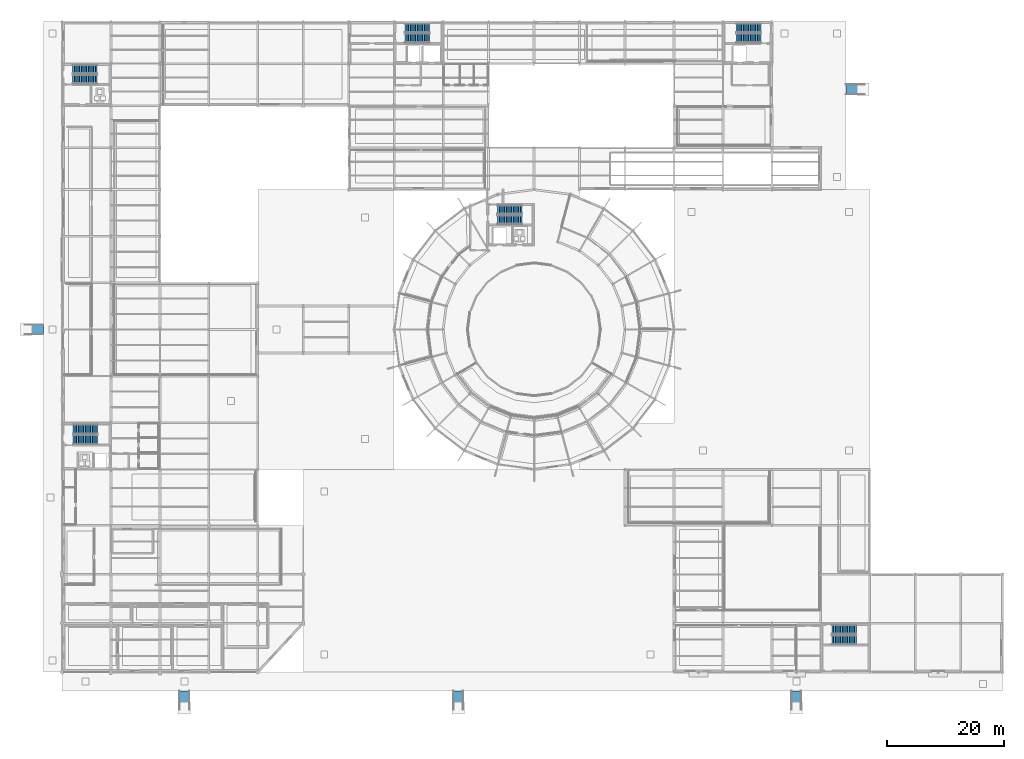
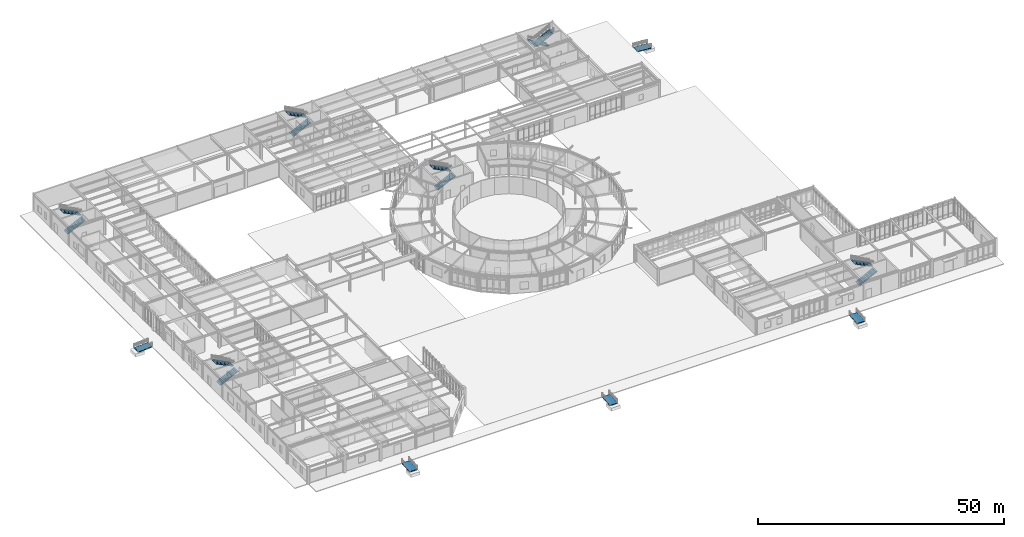
# One storey, part 89 of 101: 12 stair flights, 5 ramp flights, 11 elements without a shape of their own.
"""IFC4 building model written with IfcOpenShell, lengths in metres."""

from ifc_helpers import new_model, si_unit, derived_unit, direction, frame, origin, place, context, subcontext, project, spatial, polyline, outline, extrude, material, layer, layer_set, type_object, element, aggregate, save


model = new_model("IFC4")

# Units and contexts
model_context = context("Model", 3, precision=1e-05, world=origin(), true_north=direction((0.0, 1.0)))
body_context = subcontext(model_context, "Body", "Model", "MODEL_VIEW")
ifc_project = project(units=[si_unit("LENGTHUNIT", "METRE"), si_unit("AREAUNIT", "SQUARE_METRE"), si_unit("VOLUMEUNIT", "CUBIC_METRE"), si_unit("PLANEANGLEUNIT", "RADIAN"), si_unit("MASSUNIT", "GRAM", prefix="KILO"), derived_unit("THERMALTRANSMITTANCEUNIT", [(si_unit("POWERUNIT", "WATT"), 1), (si_unit("AREAUNIT", "SQUARE_METRE"), -1), (si_unit("THERMODYNAMICTEMPERATUREUNIT", "KELVIN"), -1)])], contexts=[model_context])

# Site, building, storey
site_placement = place(None, origin())
site = spatial("IfcSite", under=ifc_project, at=site_placement, CompositionType="ELEMENT")
building_placement = place(site_placement, origin())
building = spatial("IfcBuilding", under=site, at=building_placement, Name="Yasenodar Specialist Clinic", CompositionType="ELEMENT")
storey_placement = place(building_placement, origin())
storey = spatial("IfcBuildingStorey", under=building, at=storey_placement, Name="L00", CompositionType="ELEMENT", Elevation=0.0)

# Stair, stair flights
ifc_material = material(Name="Concrete C30/37", Category="concrete")
stair_type_1 = type_object("IfcStairType", Name="ST-DOG-C1-30", PredefinedType="HALF_TURN_STAIR", material=ifc_material)
stair_1_placement = place(storey_placement, origin())
stair_1 = element("IfcStair", 1, at=stair_1_placement, inside=storey, type_object=stair_type_1, Name="L00 Core C1 Exit Stair ST-01", PredefinedType="HALF_TURN_STAIR")
stair_flight_type_1 = type_object("IfcStairFlightType", Name="STF-C1-30", PredefinedType="STRAIGHT", material=ifc_material)
stair_flight_1_placement = place(storey_placement, frame((1.929931640625, 39.875, 0.0), z_axis=(0.0, 0.0, 1.0), x_axis=(1.0, 0.0, 0.0)))
stair_flight_1 = element("IfcStairFlight", 2, at=stair_flight_1_placement, type_object=stair_flight_type_1, Name="ST-01 flight 1", NumberOfRisers=15, NumberOfTreads=14, PredefinedType="STRAIGHT", RiserHeight=0.15, TreadLength=0.3, context=body_context, shape_type="SweptSolid", body=[
    extrude(outline(polyline([(0.0, 0.0), (0.0, 0.14990234375), (0.300048828125, 0.14990234375), (0.300048828125, 0.300048828125), (0.60009765625, 0.300048828125), (0.60009765625, 0.449951171875), (0.89990234375, 0.449951171875), (0.89990234375, 0.60009765625), (1.199951171875, 0.60009765625), (1.199951171875, 0.75), (1.5, 0.75), (1.5, 0.89990234375), (1.800048828125, 0.89990234375), (1.800048828125, 1.050048828125), (2.10009765625, 1.050048828125), (2.10009765625, 1.199951171875), (2.39990234375, 1.199951171875), (2.39990234375, 1.35009765625), (2.699951171875, 1.35009765625), (2.699951171875, 1.5), (3.0, 1.5), (3.0, 1.64990234375), (3.300048828125, 1.64990234375), (3.300048828125, 1.800048828125), (3.60009765625, 1.800048828125), (3.60009765625, 1.949951171875), (3.89990234375, 1.949951171875), (3.89990234375, 2.10009765625), (4.199951171875, 2.10009765625), (4.199951171875, 2.25), (4.199951171875, 1.921142578125), (0.357666015625, 0.0), (0.0, 0.0)])), frame((0.0, 0.81494140625, 0.0), z_axis=(0.0, -1.0, 0.0), x_axis=(1.0, 0.0, 0.0)), (0.0, 0.0, 1.0), 1.6298828125),
])
stair_flight_2_placement = place(storey_placement, frame((6.1298828125, 41.695068359375, 2.25), z_axis=(0.0, 0.0, 1.0), x_axis=(-1.0, 0.0, 0.0)))
stair_flight_2 = element("IfcStairFlight", 3, at=stair_flight_2_placement, type_object=stair_flight_type_1, Name="ST-01 flight 2", NumberOfRisers=15, NumberOfTreads=14, PredefinedType="STRAIGHT", RiserHeight=0.15, TreadLength=0.3, context=body_context, shape_type="SweptSolid", body=[
    extrude(outline(polyline([(0.0, 0.0), (0.0, 0.14990234375), (0.300048828125, 0.14990234375), (0.300048828125, 0.300048828125), (0.60009765625, 0.300048828125), (0.60009765625, 0.449951171875), (0.89990234375, 0.449951171875), (0.89990234375, 0.60009765625), (1.199951171875, 0.60009765625), (1.199951171875, 0.75), (1.5, 0.75), (1.5, 0.89990234375), (1.800048828125, 0.89990234375), (1.800048828125, 1.050048828125), (2.10009765625, 1.050048828125), (2.10009765625, 1.199951171875), (2.39990234375, 1.199951171875), (2.39990234375, 1.35009765625), (2.699951171875, 1.35009765625), (2.699951171875, 1.5), (3.0, 1.5), (3.0, 1.64990234375), (3.300048828125, 1.64990234375), (3.300048828125, 1.800048828125), (3.60009765625, 1.800048828125), (3.60009765625, 1.949951171875), (3.89990234375, 1.949951171875), (3.89990234375, 2.10009765625), (4.199951171875, 2.10009765625), (4.199951171875, 2.25), (4.199951171875, 1.921142578125), (0.357666015625, 0.0), (0.0, 0.0)])), frame((0.0, 0.81494140625, 0.0), z_axis=(0.0, -1.0, 0.0), x_axis=(1.0, 0.0, 0.0)), (0.0, 0.0, 1.0), 1.6298828125),
])
aggregate(stair_1, [stair_flight_1, stair_flight_2])

stair_type_2 = type_object("IfcStairType", Name="ST-DOG-C2-30", PredefinedType="HALF_TURN_STAIR", material=ifc_material)
stair_2_placement = place(storey_placement, origin())
stair_2 = element("IfcStair", 4, at=stair_2_placement, inside=storey, type_object=stair_type_2, Name="L00 Core C2 Exit Stair ST-02", PredefinedType="HALF_TURN_STAIR")
stair_flight_type_2 = type_object("IfcStairFlightType", Name="STF-C2-30", PredefinedType="STRAIGHT", material=ifc_material)
stair_flight_3_placement = place(storey_placement, frame((1.840087890625, 101.72998046875, 0.0), z_axis=(0.0, 0.0, 1.0), x_axis=(1.0, 0.0, 0.0)))
stair_flight_3 = element("IfcStairFlight", 5, at=stair_flight_3_placement, type_object=stair_flight_type_2, Name="ST-02 flight 1", NumberOfRisers=15, NumberOfTreads=14, PredefinedType="STRAIGHT", RiserHeight=0.15, TreadLength=0.3, context=body_context, shape_type="SweptSolid", body=[
    extrude(outline(polyline([(0.0, 0.0), (0.0, 0.14990234375), (0.300048828125, 0.14990234375), (0.300048828125, 0.300048828125), (0.60009765625, 0.300048828125), (0.60009765625, 0.449951171875), (0.89990234375, 0.449951171875), (0.89990234375, 0.60009765625), (1.199951171875, 0.60009765625), (1.199951171875, 0.75), (1.5, 0.75), (1.5, 0.89990234375), (1.800048828125, 0.89990234375), (1.800048828125, 1.050048828125), (2.10009765625, 1.050048828125), (2.10009765625, 1.199951171875), (2.39990234375, 1.199951171875), (2.39990234375, 1.35009765625), (2.699951171875, 1.35009765625), (2.699951171875, 1.5), (3.0, 1.5), (3.0, 1.64990234375), (3.300048828125, 1.64990234375), (3.300048828125, 1.800048828125), (3.60009765625, 1.800048828125), (3.60009765625, 1.949951171875), (3.89990234375, 1.949951171875), (3.89990234375, 2.10009765625), (4.199951171875, 2.10009765625), (4.199951171875, 2.25), (4.199951171875, 1.921142578125), (0.357666015625, 0.0), (0.0, 0.0)])), frame((0.0, 0.77001953125, 0.0), z_axis=(0.0, -1.0, 0.0), x_axis=(1.0, 0.0, 0.0)), (0.0, 0.0, 1.0), 1.5400390625),
])
stair_flight_4_placement = place(storey_placement, frame((6.0400390625, 103.429931640625, 2.25), z_axis=(0.0, 0.0, 1.0), x_axis=(-1.0, 0.0, 0.0)))
stair_flight_4 = element("IfcStairFlight", 6, at=stair_flight_4_placement, type_object=stair_flight_type_2, Name="ST-02 flight 2", NumberOfRisers=15, NumberOfTreads=14, PredefinedType="STRAIGHT", RiserHeight=0.15, TreadLength=0.3, context=body_context, shape_type="SweptSolid", body=[
    extrude(outline(polyline([(0.0, 0.0), (0.0, 0.14990234375), (0.300048828125, 0.14990234375), (0.300048828125, 0.300048828125), (0.60009765625, 0.300048828125), (0.60009765625, 0.449951171875), (0.89990234375, 0.449951171875), (0.89990234375, 0.60009765625), (1.199951171875, 0.60009765625), (1.199951171875, 0.75), (1.5, 0.75), (1.5, 0.89990234375), (1.800048828125, 0.89990234375), (1.800048828125, 1.050048828125), (2.10009765625, 1.050048828125), (2.10009765625, 1.199951171875), (2.39990234375, 1.199951171875), (2.39990234375, 1.35009765625), (2.699951171875, 1.35009765625), (2.699951171875, 1.5), (3.0, 1.5), (3.0, 1.64990234375), (3.300048828125, 1.64990234375), (3.300048828125, 1.800048828125), (3.60009765625, 1.800048828125), (3.60009765625, 1.949951171875), (3.89990234375, 1.949951171875), (3.89990234375, 2.10009765625), (4.199951171875, 2.10009765625), (4.199951171875, 2.25), (4.199951171875, 1.921142578125), (0.357666015625, 0.0), (0.0, 0.0)])), frame((0.0, 0.77001953125, 0.0), z_axis=(0.0, -1.0, 0.0), x_axis=(1.0, 0.0, 0.0)), (0.0, 0.0, 1.0), 1.5400390625),
])
aggregate(stair_2, [stair_flight_3, stair_flight_4])

stair_3_placement = place(storey_placement, origin())
stair_3 = element("IfcStair", 7, at=stair_3_placement, inside=storey, type_object=stair_type_2, Name="L00 Core C3 Exit Stair ST-03", PredefinedType="HALF_TURN_STAIR")
stair_flight_5_placement = place(storey_placement, frame((74.739990234375, 77.6298828125, 0.0), z_axis=(0.0, 0.0, 1.0), x_axis=(1.0, 0.0, 0.0)))
stair_flight_5 = element("IfcStairFlight", 8, at=stair_flight_5_placement, type_object=stair_flight_type_2, Name="ST-03 flight 1", NumberOfRisers=15, NumberOfTreads=14, PredefinedType="STRAIGHT", RiserHeight=0.15, TreadLength=0.3, context=body_context, shape_type="SweptSolid", body=[
    extrude(outline(polyline([(0.0, 0.0), (0.0, 0.14990234375), (0.300048828125, 0.14990234375), (0.300048828125, 0.300048828125), (0.60009765625, 0.300048828125), (0.60009765625, 0.449951171875), (0.89990234375, 0.449951171875), (0.89990234375, 0.60009765625), (1.199951171875, 0.60009765625), (1.199951171875, 0.75), (1.5, 0.75), (1.5, 0.89990234375), (1.800048828125, 0.89990234375), (1.800048828125, 1.050048828125), (2.10009765625, 1.050048828125), (2.10009765625, 1.199951171875), (2.39990234375, 1.199951171875), (2.39990234375, 1.35009765625), (2.699951171875, 1.35009765625), (2.699951171875, 1.5), (3.0, 1.5), (3.0, 1.64990234375), (3.300048828125, 1.64990234375), (3.300048828125, 1.800048828125), (3.60009765625, 1.800048828125), (3.60009765625, 1.949951171875), (3.89990234375, 1.949951171875), (3.89990234375, 2.10009765625), (4.199951171875, 2.10009765625), (4.199951171875, 2.25), (4.199951171875, 1.921142578125), (0.357666015625, 0.0), (0.0, 0.0)])), frame((0.0, 0.77001953125, 0.0), z_axis=(0.0, -1.0, 0.0), x_axis=(1.0, 0.0, 0.0)), (0.0, 0.0, 1.0), 1.5400390625),
])
stair_flight_6_placement = place(storey_placement, frame((78.93994140625, 79.340087890625, 2.25), z_axis=(0.0, 0.0, 1.0), x_axis=(-1.0, 0.0, 0.0)))
stair_flight_6 = element("IfcStairFlight", 9, at=stair_flight_6_placement, type_object=stair_flight_type_2, Name="ST-03 flight 2", NumberOfRisers=15, NumberOfTreads=14, PredefinedType="STRAIGHT", RiserHeight=0.15, TreadLength=0.3, context=body_context, shape_type="SweptSolid", body=[
    extrude(outline(polyline([(0.0, 0.0), (0.0, 0.14990234375), (0.300048828125, 0.14990234375), (0.300048828125, 0.300048828125), (0.60009765625, 0.300048828125), (0.60009765625, 0.449951171875), (0.89990234375, 0.449951171875), (0.89990234375, 0.60009765625), (1.199951171875, 0.60009765625), (1.199951171875, 0.75), (1.5, 0.75), (1.5, 0.89990234375), (1.800048828125, 0.89990234375), (1.800048828125, 1.050048828125), (2.10009765625, 1.050048828125), (2.10009765625, 1.199951171875), (2.39990234375, 1.199951171875), (2.39990234375, 1.35009765625), (2.699951171875, 1.35009765625), (2.699951171875, 1.5), (3.0, 1.5), (3.0, 1.64990234375), (3.300048828125, 1.64990234375), (3.300048828125, 1.800048828125), (3.60009765625, 1.800048828125), (3.60009765625, 1.949951171875), (3.89990234375, 1.949951171875), (3.89990234375, 2.10009765625), (4.199951171875, 2.10009765625), (4.199951171875, 2.25), (4.199951171875, 1.921142578125), (0.357666015625, 0.0), (0.0, 0.0)])), frame((0.0, 0.77001953125, 0.0), z_axis=(0.0, -1.0, 0.0), x_axis=(1.0, 0.0, 0.0)), (0.0, 0.0, 1.0), 1.5400390625),
])
aggregate(stair_3, [stair_flight_5, stair_flight_6])

stair_type_3 = type_object("IfcStairType", Name="ST-DOG-C4-30", PredefinedType="HALF_TURN_STAIR", material=ifc_material)
stair_4_placement = place(storey_placement, origin())
stair_4 = element("IfcStair", 10, at=stair_4_placement, inside=storey, type_object=stair_type_3, Name="L00 Core C4 Exit Stair ST-04", PredefinedType="HALF_TURN_STAIR")
stair_flight_type_3 = type_object("IfcStairFlightType", Name="STF-C4-30", PredefinedType="STRAIGHT", material=ifc_material)
stair_flight_7_placement = place(storey_placement, frame((58.8701171875, 108.794921875, 0.0), z_axis=(0.0, 0.0, 1.0), x_axis=(1.0, 0.0, 0.0)))
stair_flight_7 = element("IfcStairFlight", 11, at=stair_flight_7_placement, type_object=stair_flight_type_3, Name="ST-04 flight 1", NumberOfRisers=15, NumberOfTreads=14, PredefinedType="STRAIGHT", RiserHeight=0.15, TreadLength=0.3, context=body_context, shape_type="SweptSolid", body=[
    extrude(outline(polyline([(0.0, 0.0), (0.0, 0.14990234375), (0.300048828125, 0.14990234375), (0.300048828125, 0.300048828125), (0.60009765625, 0.300048828125), (0.60009765625, 0.449951171875), (0.89990234375, 0.449951171875), (0.89990234375, 0.60009765625), (1.199951171875, 0.60009765625), (1.199951171875, 0.75), (1.5, 0.75), (1.5, 0.89990234375), (1.800048828125, 0.89990234375), (1.800048828125, 1.050048828125), (2.10009765625, 1.050048828125), (2.10009765625, 1.199951171875), (2.39990234375, 1.199951171875), (2.39990234375, 1.35009765625), (2.699951171875, 1.35009765625), (2.699951171875, 1.5), (3.0, 1.5), (3.0, 1.64990234375), (3.300048828125, 1.64990234375), (3.300048828125, 1.800048828125), (3.60009765625, 1.800048828125), (3.60009765625, 1.949951171875), (3.89990234375, 1.949951171875), (3.89990234375, 2.10009765625), (4.199951171875, 2.10009765625), (4.199951171875, 2.25), (4.199951171875, 1.921142578125), (0.357666015625, 0.0), (0.0, 0.0)])), frame((0.0, 0.78515625, 0.0), z_axis=(0.0, -1.0, 0.0), x_axis=(1.0, 0.0, 0.0)), (0.0, 0.0, 1.0), 1.570068359375),
])
stair_flight_8_placement = place(storey_placement, frame((63.070068359375, 110.52490234375, 2.25), z_axis=(0.0, 0.0, 1.0), x_axis=(-1.0, 0.0, 0.0)))
stair_flight_8 = element("IfcStairFlight", 12, at=stair_flight_8_placement, type_object=stair_flight_type_3, Name="ST-04 flight 2", NumberOfRisers=15, NumberOfTreads=14, PredefinedType="STRAIGHT", RiserHeight=0.15, TreadLength=0.3, context=body_context, shape_type="SweptSolid", body=[
    extrude(outline(polyline([(0.0, 0.0), (0.0, 0.14990234375), (0.300048828125, 0.14990234375), (0.300048828125, 0.300048828125), (0.60009765625, 0.300048828125), (0.60009765625, 0.449951171875), (0.89990234375, 0.449951171875), (0.89990234375, 0.60009765625), (1.199951171875, 0.60009765625), (1.199951171875, 0.75), (1.5, 0.75), (1.5, 0.89990234375), (1.800048828125, 0.89990234375), (1.800048828125, 1.050048828125), (2.10009765625, 1.050048828125), (2.10009765625, 1.199951171875), (2.39990234375, 1.199951171875), (2.39990234375, 1.35009765625), (2.699951171875, 1.35009765625), (2.699951171875, 1.5), (3.0, 1.5), (3.0, 1.64990234375), (3.300048828125, 1.64990234375), (3.300048828125, 1.800048828125), (3.60009765625, 1.800048828125), (3.60009765625, 1.949951171875), (3.89990234375, 1.949951171875), (3.89990234375, 2.10009765625), (4.199951171875, 2.10009765625), (4.199951171875, 2.25), (4.199951171875, 1.921142578125), (0.357666015625, 0.0), (0.0, 0.0)])), frame((0.0, 0.78515625, 0.0), z_axis=(0.0, -1.0, 0.0), x_axis=(1.0, 0.0, 0.0)), (0.0, 0.0, 1.0), 1.570068359375),
])
aggregate(stair_4, [stair_flight_7, stair_flight_8])

stair_5_placement = place(storey_placement, origin())
stair_5 = element("IfcStair", 13, at=stair_5_placement, inside=storey, type_object=stair_type_3, Name="L00 Core C5 Exit Stair ST-05", PredefinedType="HALF_TURN_STAIR")
stair_flight_9_placement = place(storey_placement, frame((119.929931640625, 110.52490234375, 0.0), z_axis=(0.0, 0.0, 1.0), x_axis=(-1.0, 0.0, 0.0)))
stair_flight_9 = element("IfcStairFlight", 14, at=stair_flight_9_placement, type_object=stair_flight_type_3, Name="ST-05 flight 1", NumberOfRisers=15, NumberOfTreads=14, PredefinedType="STRAIGHT", RiserHeight=0.15, TreadLength=0.3, context=body_context, shape_type="SweptSolid", body=[
    extrude(outline(polyline([(0.0, 0.0), (0.0, 0.14990234375), (0.300048828125, 0.14990234375), (0.300048828125, 0.300048828125), (0.60009765625, 0.300048828125), (0.60009765625, 0.449951171875), (0.89990234375, 0.449951171875), (0.89990234375, 0.60009765625), (1.199951171875, 0.60009765625), (1.199951171875, 0.75), (1.5, 0.75), (1.5, 0.89990234375), (1.800048828125, 0.89990234375), (1.800048828125, 1.050048828125), (2.10009765625, 1.050048828125), (2.10009765625, 1.199951171875), (2.39990234375, 1.199951171875), (2.39990234375, 1.35009765625), (2.699951171875, 1.35009765625), (2.699951171875, 1.5), (3.0, 1.5), (3.0, 1.64990234375), (3.300048828125, 1.64990234375), (3.300048828125, 1.800048828125), (3.60009765625, 1.800048828125), (3.60009765625, 1.949951171875), (3.89990234375, 1.949951171875), (3.89990234375, 2.10009765625), (4.199951171875, 2.10009765625), (4.199951171875, 2.25), (4.199951171875, 1.921142578125), (0.357666015625, 0.0), (0.0, 0.0)])), frame((0.0, 0.78515625, 0.0), z_axis=(0.0, -1.0, 0.0), x_axis=(1.0, 0.0, 0.0)), (0.0, 0.0, 1.0), 1.570068359375),
])
stair_flight_10_placement = place(storey_placement, frame((115.72998046875, 108.794921875, 2.25), z_axis=(0.0, 0.0, 1.0), x_axis=(1.0, 0.0, 0.0)))
stair_flight_10 = element("IfcStairFlight", 15, at=stair_flight_10_placement, type_object=stair_flight_type_3, Name="ST-05 flight 2", NumberOfRisers=15, NumberOfTreads=14, PredefinedType="STRAIGHT", RiserHeight=0.15, TreadLength=0.3, context=body_context, shape_type="SweptSolid", body=[
    extrude(outline(polyline([(0.0, 0.0), (0.0, 0.14990234375), (0.300048828125, 0.14990234375), (0.300048828125, 0.300048828125), (0.60009765625, 0.300048828125), (0.60009765625, 0.449951171875), (0.89990234375, 0.449951171875), (0.89990234375, 0.60009765625), (1.199951171875, 0.60009765625), (1.199951171875, 0.75), (1.5, 0.75), (1.5, 0.89990234375), (1.800048828125, 0.89990234375), (1.800048828125, 1.050048828125), (2.10009765625, 1.050048828125), (2.10009765625, 1.199951171875), (2.39990234375, 1.199951171875), (2.39990234375, 1.35009765625), (2.699951171875, 1.35009765625), (2.699951171875, 1.5), (3.0, 1.5), (3.0, 1.64990234375), (3.300048828125, 1.64990234375), (3.300048828125, 1.800048828125), (3.60009765625, 1.800048828125), (3.60009765625, 1.949951171875), (3.89990234375, 1.949951171875), (3.89990234375, 2.10009765625), (4.199951171875, 2.10009765625), (4.199951171875, 2.25), (4.199951171875, 1.921142578125), (0.357666015625, 0.0), (0.0, 0.0)])), frame((0.0, 0.78515625, 0.0), z_axis=(0.0, -1.0, 0.0), x_axis=(1.0, 0.0, 0.0)), (0.0, 0.0, 1.0), 1.570068359375),
])
aggregate(stair_5, [stair_flight_9, stair_flight_10])

stair_6_placement = place(storey_placement, origin())
stair_6 = element("IfcStair", 16, at=stair_6_placement, inside=storey, type_object=stair_type_3, Name="L00 Core C6 Exit Stair ST-06", PredefinedType="HALF_TURN_STAIR")
stair_flight_11_placement = place(storey_placement, frame((132.090087890625, 5.554931640625, 0.0), z_axis=(0.0, 0.0, 1.0), x_axis=(1.0, 0.0, 0.0)))
stair_flight_11 = element("IfcStairFlight", 17, at=stair_flight_11_placement, type_object=stair_flight_type_3, Name="ST-06 flight 1", NumberOfRisers=15, NumberOfTreads=14, PredefinedType="STRAIGHT", RiserHeight=0.15, TreadLength=0.3, context=body_context, shape_type="SweptSolid", body=[
    extrude(outline(polyline([(0.0, 0.0), (0.0, 0.14990234375), (0.300048828125, 0.14990234375), (0.300048828125, 0.300048828125), (0.60009765625, 0.300048828125), (0.60009765625, 0.449951171875), (0.89990234375, 0.449951171875), (0.89990234375, 0.60009765625), (1.199951171875, 0.60009765625), (1.199951171875, 0.75), (1.5, 0.75), (1.5, 0.89990234375), (1.800048828125, 0.89990234375), (1.800048828125, 1.050048828125), (2.10009765625, 1.050048828125), (2.10009765625, 1.199951171875), (2.39990234375, 1.199951171875), (2.39990234375, 1.35009765625), (2.699951171875, 1.35009765625), (2.699951171875, 1.5), (3.0, 1.5), (3.0, 1.64990234375), (3.300048828125, 1.64990234375), (3.300048828125, 1.800048828125), (3.60009765625, 1.800048828125), (3.60009765625, 1.949951171875), (3.89990234375, 1.949951171875), (3.89990234375, 2.10009765625), (4.199951171875, 2.10009765625), (4.199951171875, 2.25), (4.199951171875, 1.921142578125), (0.357666015625, 0.0), (0.0, 0.0)])), frame((0.0, 0.794921875, 0.0), z_axis=(0.0, -1.0, 0.0), x_axis=(1.0, 0.0, 0.0)), (0.0, 0.0, 1.0), 1.590087890625),
])
stair_flight_12_placement = place(storey_placement, frame((136.2900390625, 7.324951171875, 2.25), z_axis=(0.0, 0.0, 1.0), x_axis=(-1.0, 0.0, 0.0)))
stair_flight_12 = element("IfcStairFlight", 18, at=stair_flight_12_placement, type_object=stair_flight_type_3, Name="ST-06 flight 2", NumberOfRisers=15, NumberOfTreads=14, PredefinedType="STRAIGHT", RiserHeight=0.15, TreadLength=0.3, context=body_context, shape_type="SweptSolid", body=[
    extrude(outline(polyline([(0.0, 0.0), (0.0, 0.14990234375), (0.300048828125, 0.14990234375), (0.300048828125, 0.300048828125), (0.60009765625, 0.300048828125), (0.60009765625, 0.449951171875), (0.89990234375, 0.449951171875), (0.89990234375, 0.60009765625), (1.199951171875, 0.60009765625), (1.199951171875, 0.75), (1.5, 0.75), (1.5, 0.89990234375), (1.800048828125, 0.89990234375), (1.800048828125, 1.050048828125), (2.10009765625, 1.050048828125), (2.10009765625, 1.199951171875), (2.39990234375, 1.199951171875), (2.39990234375, 1.35009765625), (2.699951171875, 1.35009765625), (2.699951171875, 1.5), (3.0, 1.5), (3.0, 1.64990234375), (3.300048828125, 1.64990234375), (3.300048828125, 1.800048828125), (3.60009765625, 1.800048828125), (3.60009765625, 1.949951171875), (3.89990234375, 1.949951171875), (3.89990234375, 2.10009765625), (4.199951171875, 2.10009765625), (4.199951171875, 2.25), (4.199951171875, 1.921142578125), (0.357666015625, 0.0), (0.0, 0.0)])), frame((0.0, 0.794921875, 0.0), z_axis=(0.0, -1.0, 0.0), x_axis=(1.0, 0.0, 0.0)), (0.0, 0.0, 1.0), 1.590087890625),
])
aggregate(stair_6, [stair_flight_11, stair_flight_12])

# Ramp, ramp flight
ramp_type = type_object("IfcRampType", Name="RMP-PED-180", PredefinedType="STRAIGHT_RUN_RAMP", material=ifc_material)
ramp_1_placement = place(storey_placement, origin())
ramp_1 = element("IfcRamp", 19, at=ramp_1_placement, inside=storey, type_object=ramp_type, Name="West Pishtaq Accessible Approach Ramp", PredefinedType="STRAIGHT_RUN_RAMP")
ifc_layer = layer(ifc_material, 0.179931640625)
ifc_layer_set = layer_set([ifc_layer], Name="Concrete C30/37")
ramp_flight_type = type_object("IfcRampFlightType", Name="RMF-PED-180", PredefinedType="STRAIGHT", material=ifc_layer_set)
ramp_flight_1_placement = place(storey_placement, frame((-6.39990234375, 58.800048828125, -0.199951171875), z_axis=(0.0, 0.0, 1.0), x_axis=(1.0, 0.0, 0.0)))
ramp_flight_1 = element("IfcRampFlight", 20, at=ramp_flight_1_placement, type_object=ramp_flight_type, Name="West Pishtaq Accessible Approach Ramp Flight", PredefinedType="STRAIGHT", context=body_context, shape_type="SweptSolid", body=[
    extrude(outline(polyline([(0.0, 0.0), (3.199951171875, 0.199951171875), (3.199951171875, 0.02001953125), (0.0, -0.179931640625), (0.0, 0.0)])), frame((0.0, 0.89990234375, 0.0), z_axis=(0.0, -1.0, 0.0), x_axis=(1.0, 0.0, 0.0)), (0.0, 0.0, 1.0), 1.800048828125),
])
aggregate(ramp_1, [ramp_flight_1])

ramp_2_placement = place(storey_placement, origin())
ramp_2 = element("IfcRamp", 21, at=ramp_2_placement, inside=storey, type_object=ramp_type, Name="South Imaging Accessible Approach Ramp", PredefinedType="STRAIGHT_RUN_RAMP")
ramp_flight_2_placement = place(storey_placement, frame((21.0, -6.39990234375, -0.199951171875), z_axis=(0.0, 0.0, 1.0), x_axis=(0.0, 1.0, 0.0)))
ramp_flight_2 = element("IfcRampFlight", 22, at=ramp_flight_2_placement, type_object=ramp_flight_type, Name="South Imaging Accessible Approach Ramp Flight", PredefinedType="STRAIGHT", context=body_context, shape_type="SweptSolid", body=[
    extrude(outline(polyline([(0.0, 0.0), (3.199951171875, 0.199951171875), (3.199951171875, 0.02001953125), (0.0, -0.179931640625), (0.0, 0.0)])), frame((0.0, 0.89990234375, 0.0), z_axis=(0.0, -1.0, 0.0), x_axis=(1.0, 0.0, 0.0)), (0.0, 0.0, 1.0), 1.800048828125),
])
aggregate(ramp_2, [ramp_flight_2])

ramp_3_placement = place(storey_placement, origin())
ramp_3 = element("IfcRamp", 23, at=ramp_3_placement, inside=storey, type_object=ramp_type, Name="South Drum Garden Accessible Approach Ramp", PredefinedType="STRAIGHT_RUN_RAMP")
ramp_flight_3_placement = place(storey_placement, frame((68.0, -6.39990234375, -0.199951171875), z_axis=(0.0, 0.0, 1.0), x_axis=(0.0, 1.0, 0.0)))
ramp_flight_3 = element("IfcRampFlight", 24, at=ramp_flight_3_placement, type_object=ramp_flight_type, Name="South Drum Garden Accessible Approach Ramp Flight", PredefinedType="STRAIGHT", context=body_context, shape_type="SweptSolid", body=[
    extrude(outline(polyline([(0.0, 0.0), (3.199951171875, 0.199951171875), (3.199951171875, 0.02001953125), (0.0, -0.179931640625), (0.0, 0.0)])), frame((0.0, 0.89990234375, 0.0), z_axis=(0.0, -1.0, 0.0), x_axis=(1.0, 0.0, 0.0)), (0.0, 0.0, 1.0), 1.800048828125),
])
aggregate(ramp_3, [ramp_flight_3])

ramp_4_placement = place(storey_placement, origin())
ramp_4 = element("IfcRamp", 25, at=ramp_4_placement, inside=storey, type_object=ramp_type, Name="Conservatory Garden Accessible Ramp", PredefinedType="STRAIGHT_RUN_RAMP")
ramp_flight_4_placement = place(storey_placement, frame((126.0, -6.39990234375, -0.199951171875), z_axis=(0.0, 0.0, 1.0), x_axis=(0.0, 1.0, 0.0)))
ramp_flight_4 = element("IfcRampFlight", 26, at=ramp_flight_4_placement, type_object=ramp_flight_type, Name="Conservatory Garden Accessible Ramp Flight", PredefinedType="STRAIGHT", context=body_context, shape_type="SweptSolid", body=[
    extrude(outline(polyline([(0.0, 0.0), (3.199951171875, 0.199951171875), (3.199951171875, 0.02001953125), (0.0, -0.179931640625), (0.0, 0.0)])), frame((0.0, 0.89990234375, 0.0), z_axis=(0.0, -1.0, 0.0), x_axis=(1.0, 0.0, 0.0)), (0.0, 0.0, 1.0), 1.800048828125),
])
aggregate(ramp_4, [ramp_flight_4])

ramp_5_placement = place(storey_placement, origin())
ramp_5 = element("IfcRamp", 27, at=ramp_5_placement, inside=storey, type_object=ramp_type, Name="East Healing Garden Accessible Ramp", PredefinedType="STRAIGHT_RUN_RAMP")
ramp_flight_5_placement = place(storey_placement, frame((137.699951171875, 100.0, -0.199951171875), z_axis=(0.0, 0.0, 1.0), x_axis=(-1.0, 0.0, 0.0)))
ramp_flight_5 = element("IfcRampFlight", 28, at=ramp_flight_5_placement, type_object=ramp_flight_type, Name="East Healing Garden Accessible Ramp Flight", PredefinedType="STRAIGHT", context=body_context, shape_type="SweptSolid", body=[
    extrude(outline(polyline([(0.0, 0.0), (3.199951171875, 0.199951171875), (3.199951171875, 0.02001953125), (0.0, -0.179931640625), (0.0, 0.0)])), frame((0.0, 0.89990234375, 0.0), z_axis=(0.0, -1.0, 0.0), x_axis=(1.0, 0.0, 0.0)), (0.0, 0.0, 1.0), 1.800048828125),
])
aggregate(ramp_5, [ramp_flight_5])

save(model, "model.ifc")
